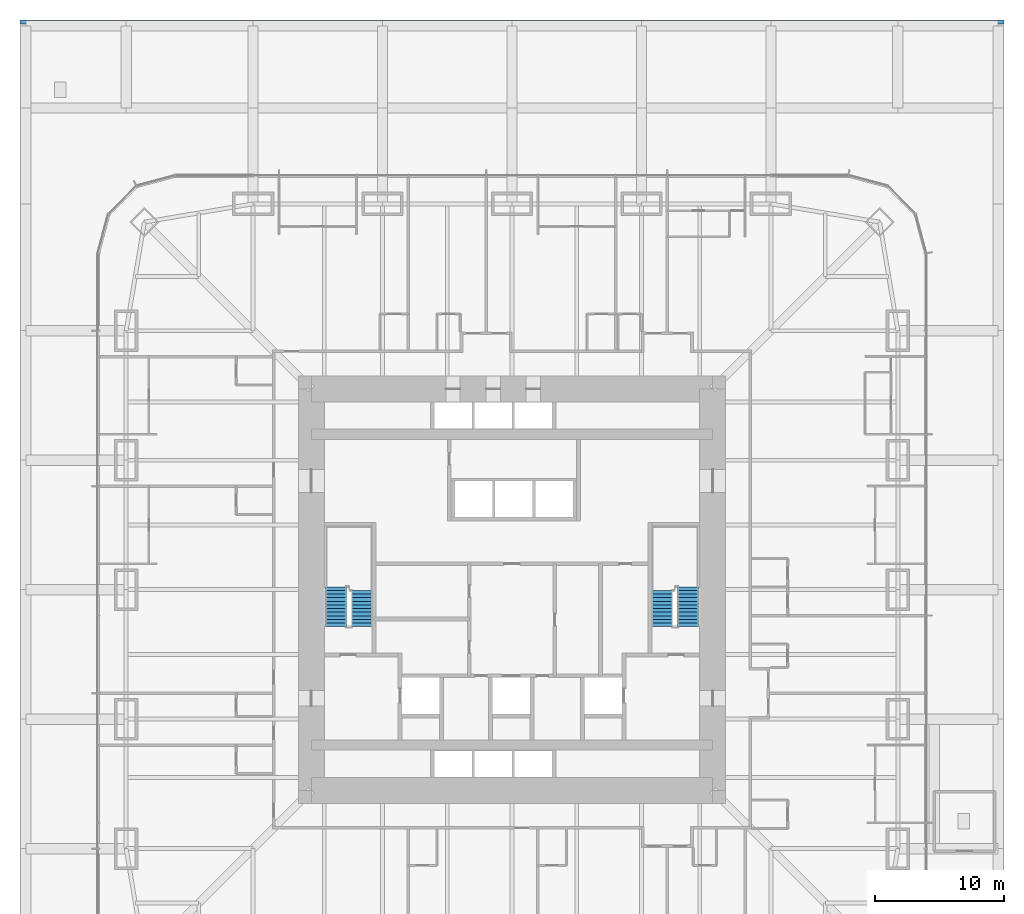
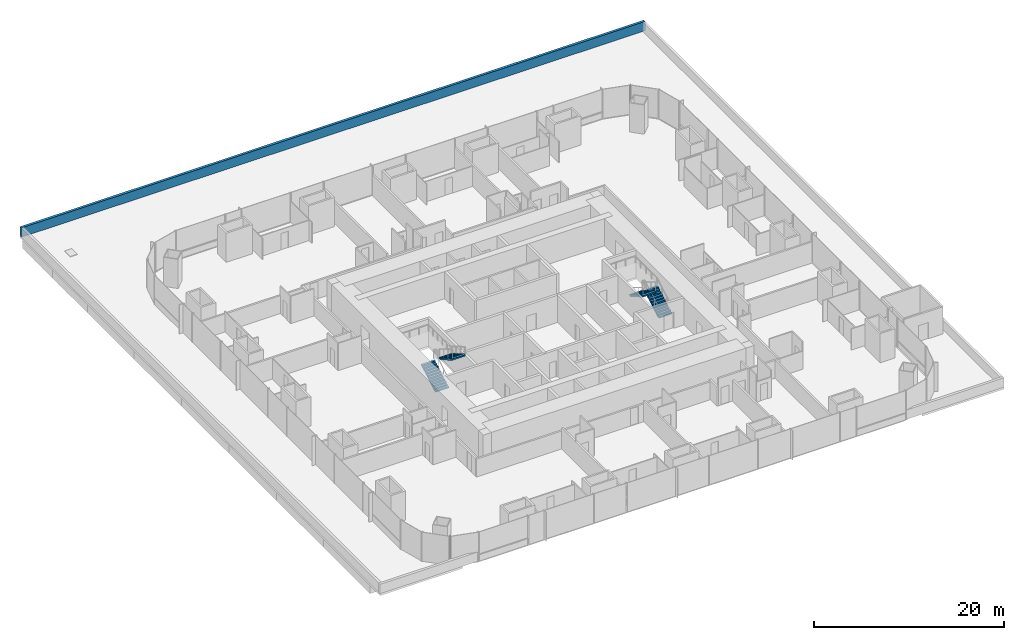
# One storey, part 19 of 20: 4 stair flights, 1 wall, 2 elements without a shape of their own.
"""IFC4 building model written with IfcOpenShell, lengths in metres."""

import ifcopenshell
import ifcopenshell.guid

model = None  # the IFC model being written
_history = None  # IfcOwnerHistory: only IFC2X3 demands one
_inside = {}  # id of a spatial element -> (the spatial element, [elements in it])
_under = {}  # id of a project, library or spatial element -> (it, [spatial elements below it])
_declared = {}  # id of a project -> (the project, [libraries it declares])
_typed = {}  # id of a type object -> (the type object, [elements of that type])
_made_of = {}  # id of a material, layer set ... -> (it, [elements and type objects made of it])


def new_model(schema):
    """Start an empty IFC model of exactly this schema.

    Asked for "IFC4X3", IfcOpenShell would pick the latest addendum, in which some entities
    have other attributes; the version numbers below select the first issue.
    IFC2X3 requires an IfcOwnerHistory on every rooted entity: one is made here for all.
    """
    global model, _history
    if schema == "IFC4X3":
        model = ifcopenshell.file(schema_version=(4, 3, 0, 0))
    else:
        model = ifcopenshell.file(schema=schema)
    _inside.clear()
    _under.clear()
    _declared.clear()
    _typed.clear()
    _made_of.clear()
    _history = None
    if model.schema == "IFC2X3":
        org = make("IfcOrganization", Name="unknown")
        user = make(
            "IfcPersonAndOrganization",
            ThePerson=make("IfcPerson", FamilyName="unknown"),
            TheOrganization=org,
        )
        app = make(
            "IfcApplication",
            ApplicationDeveloper=org,
            Version="unknown",
            ApplicationFullName="unknown",
            ApplicationIdentifier="unknown",
        )
        _history = make(
            "IfcOwnerHistory",
            OwningUser=user,
            OwningApplication=app,
            ChangeAction="ADDED",
            CreationDate=0,
        )
    return model


def make(cls, **values):
    """One entity of the class cls with the attributes given. An attribute that is None is left unset."""
    return model.create_entity(
        cls, **{name: value for name, value in values.items() if value is not None}
    )


def rooted(cls, **values):
    """An entity with a GlobalId (a new one), such as an element, a storey or a relation."""
    return make(cls, GlobalId=ifcopenshell.guid.new(), OwnerHistory=_history, **values)


def si_unit(unit_type, name, prefix=None):
    """IfcSIUnit, for example si_unit("LENGTHUNIT", "METRE", prefix="MILLI")."""
    return make("IfcSIUnit", UnitType=unit_type, Prefix=prefix, Name=name)


def assignment(units):
    """IfcUnitAssignment: the units of a project."""
    return None if units is None else make("IfcUnitAssignment", Units=units)


def point(xyz):
    """IfcCartesianPoint."""
    return None if xyz is None else make("IfcCartesianPoint", Coordinates=xyz)


def direction(xyz):
    """IfcDirection."""
    return None if xyz is None else make("IfcDirection", DirectionRatios=xyz)


def frame(location, z_axis=None, x_axis=None):
    """IfcAxis2Placement3D, a coordinate frame: its origin and axes. An axis left out is left unset."""
    return make(
        "IfcAxis2Placement3D",
        Location=point(location),
        Axis=direction(z_axis),
        RefDirection=direction(x_axis),
    )


def frame_2d(location, x_axis=None):
    """IfcAxis2Placement2D, a coordinate frame in the plane: its origin and x axis."""
    return make(
        "IfcAxis2Placement2D", Location=point(location), RefDirection=direction(x_axis)
    )


def origin():
    """The frame at (0, 0, 0) with its axes left unset."""
    return frame((0.0, 0.0, 0.0))


def place(relative_to, where):
    """IfcLocalPlacement: puts the frame where relative to a parent placement (None: the world)."""
    return make(
        "IfcLocalPlacement", PlacementRelTo=relative_to, RelativePlacement=where
    )


def context(
    kind, dimensions, precision=None, world=None, true_north=None, identifier=None
):
    """IfcGeometricRepresentationContext, for example the 3D "Model" context."""
    return make(
        "IfcGeometricRepresentationContext",
        ContextIdentifier=identifier,
        ContextType=kind,
        CoordinateSpaceDimension=dimensions,
        Precision=precision,
        WorldCoordinateSystem=world,
        TrueNorth=true_north,
    )


def subcontext(parent, identifier, kind, view, scale=None):
    """IfcGeometricRepresentationSubContext, for example "Body" below "Model"."""
    return make(
        "IfcGeometricRepresentationSubContext",
        ContextIdentifier=identifier,
        ContextType=kind,
        ParentContext=parent,
        TargetScale=scale,
        TargetView=view,
    )


def project(units=None, contexts=None):
    """IfcProject with its units and contexts."""
    return rooted(
        "IfcProject",
        Name="project",
        RepresentationContexts=contexts,
        UnitsInContext=assignment(units),
    )


def spatial(cls, under=None, at=None, **own):
    """A site, building, storey or space (cls), placed at a placement, below another one or the project."""
    s = rooted(cls, ObjectPlacement=at, **own)
    if under is not None:
        _under.setdefault(under.id(), (under, []))[1].append(s)
    return s


def polyline(points):
    """IfcPolyline through the points."""
    return make("IfcPolyline", Points=[point(p) for p in points])


def profile(cls, at=None, kind="AREA", **sizes):
    """A parametric profile (cls). Its sizes go by their IFC names, for example OverallWidth=200.0."""
    return make(cls, ProfileType=kind, Position=at, **sizes)


def rectangle(**sizes):
    """IfcRectangleProfileDef."""
    return profile("IfcRectangleProfileDef", **sizes)


def outline(outer, holes=None, kind="AREA"):
    """IfcArbitraryClosedProfileDef: a profile drawn as a closed curve; with holes, ...WithVoids."""
    if holes is None:
        return make("IfcArbitraryClosedProfileDef", ProfileType=kind, OuterCurve=outer)
    return make(
        "IfcArbitraryProfileDefWithVoids",
        ProfileType=kind,
        OuterCurve=outer,
        InnerCurves=holes,
    )


def extrude(swept, where, along, depth):
    """IfcExtrudedAreaSolid: the profile swept, set in the frame where, extruded along a direction by depth."""
    return make(
        "IfcExtrudedAreaSolid",
        SweptArea=swept,
        Position=where,
        ExtrudedDirection=direction(along),
        Depth=depth,
    )


def shape(context_of_items, identifier, shape_type, items):
    """IfcShapeRepresentation: the items that make up one representation, for example the "Body"."""
    return make(
        "IfcShapeRepresentation",
        ContextOfItems=context_of_items,
        RepresentationIdentifier=identifier,
        RepresentationType=shape_type,
        Items=items,
    )


def material(Name=None, Category=None):
    """IfcMaterial."""
    return make("IfcMaterial", Name=Name, Category=Category)


def layer(
    of_material, thickness, ventilated=None, Name=None, Category=None, Priority=None
):
    """IfcMaterialLayer: one layer of a wall or slab, of a material (None: an air gap)."""
    return make(
        "IfcMaterialLayer",
        Material=of_material,
        LayerThickness=thickness,
        IsVentilated=ventilated,
        Name=Name,
        Category=Category,
        Priority=Priority,
    )


def layer_set(layers, Name=None):
    """IfcMaterialLayerSet."""
    return make("IfcMaterialLayerSet", MaterialLayers=layers, LayerSetName=Name)


def made_of(thing, what):
    """Note that an element or type object is made of a material, layer set ...; save() writes the relation."""
    if what is not None:
        _made_of.setdefault(what.id(), (what, []))[1].append(thing)
    return thing


def type_object(cls, material=None, **own):
    """A type object (cls), such as IfcWallType, which elements share."""
    return made_of(rooted(cls, **own), material)


def element(
    cls,
    number,
    at=None,
    inside=None,
    cuts=None,
    type_object=None,
    material=None,
    context=None,
    identifier="Body",
    shape_type=None,
    held_by="IfcProductDefinitionShape",
    body=None,
    shapes=None,
    **own,
):
    """One element of the class cls, such as IfcWall. Its Tag is "e" and its number.

    at: its placement. inside: the storey or other place that contains it. cuts: it is an
    opening in that element (IfcRelVoidsElement). A single representation is given by context,
    identifier, shape_type and body (its items); several are given by shapes. held_by: the class
    of the entity that holds the representations. save() writes the other relations.
    """
    e = rooted(cls, Tag="e%d" % number, ObjectPlacement=at, **own)
    if body is not None:
        shapes = [shape(context, identifier, shape_type, body)]
    if shapes is not None:
        e.Representation = make(held_by, Representations=shapes)
    if inside is not None:
        _inside.setdefault(inside.id(), (inside, []))[1].append(e)
    if cuts is not None:
        rooted(
            "IfcRelVoidsElement", RelatingBuildingElement=cuts, RelatedOpeningElement=e
        )
    if type_object is not None:
        _typed.setdefault(type_object.id(), (type_object, []))[1].append(e)
    return made_of(e, material)


def aggregate(whole, parts):
    """IfcRelAggregates: a whole, such as a stair, and the parts it consists of."""
    return rooted("IfcRelAggregates", RelatingObject=whole, RelatedObjects=parts)


def save(model, path):
    """Write the relations noted so far, then the file.

    IfcRelAggregates (storeys below a building ...), IfcRelContainedInSpatialStructure (elements
    in a storey), IfcRelDefinesByType, IfcRelAssociatesMaterial and IfcRelDeclares: one each for
    every whole, place, type object, material and project.
    """
    for whole, parts in _under.values():
        aggregate(whole, parts)
    for where, things in _inside.values():
        rooted(
            "IfcRelContainedInSpatialStructure",
            RelatedElements=things,
            RelatingStructure=where,
        )
    for kind, things in _typed.values():
        rooted("IfcRelDefinesByType", RelatedObjects=things, RelatingType=kind)
    for what, things in _made_of.values():
        rooted("IfcRelAssociatesMaterial", RelatedObjects=things, RelatingMaterial=what)
    for by, libraries in _declared.values():
        rooted("IfcRelDeclares", RelatingContext=by, RelatedDefinitions=libraries)
    model.write(path)


model = new_model("IFC4")

# Units and contexts
model_context = context("Model", 3, precision=1e-05, world=origin(), true_north=direction((0.0, 1.0)))
body_context = subcontext(model_context, "Body", "Model", "MODEL_VIEW")
ifc_project = project(units=[si_unit("LENGTHUNIT", "METRE"), si_unit("AREAUNIT", "SQUARE_METRE"), si_unit("VOLUMEUNIT", "CUBIC_METRE"), si_unit("PLANEANGLEUNIT", "RADIAN"), si_unit("MASSUNIT", "GRAM", prefix="KILO")], contexts=[model_context])

# Site, building, storey
site_placement = place(None, origin())
site = spatial("IfcSite", under=ifc_project, at=site_placement, CompositionType="ELEMENT")
building_placement = place(site_placement, origin())
building = spatial("IfcBuilding", under=site, at=building_placement, Name="Khuree Lantern Residences", CompositionType="ELEMENT")
storey_placement = place(building_placement, frame((0.0, 0.0, 21.0)))
storey = spatial("IfcBuildingStorey", under=building, at=storey_placement, Name="L04", CompositionType="ELEMENT", Elevation=21.0)

# Wall
ifc_material_1 = material(Name="Precast concrete parapet with granite coping", Category="masonry")
ifc_layer = layer(ifc_material_1, 0.300048828125)
ifc_layer_set = layer_set([ifc_layer], Name="PARAPET PP1 300")
wall_type = type_object("IfcWallType", Name="PARAPET PP1 300", PredefinedType="PARAPET", material=ifc_layer_set)
wall_placement = place(storey_placement, frame((38.0, 43.85009765625, 0.0), z_axis=(0.0, 0.0, 1.0), x_axis=(-1.0, 0.0, 0.0)))
element("IfcWall", 1, at=wall_placement, inside=storey, type_object=wall_type, Name="PODIUM ROOF PARAPET 3", PredefinedType="PARAPET", context=body_context, shape_type="SweptSolid", body=[
    extrude(rectangle(XDim=76.0, YDim=0.300048828125, at=frame_2d((38.0, 0.0))), origin(), (0.0, 0.0, 1.0), 1.199951171875),
])

# Stair, stair flights
ifc_material_2 = material(Name="Concrete C40/50", Category="concrete")
stair_type = type_object("IfcStairType", Name="STAIR ST1 HALF TURN 3600", PredefinedType="HALF_TURN_STAIR", material=ifc_material_2)
stair_1_placement = place(storey_placement, origin())
stair_1 = element("IfcStair", 2, at=stair_1_placement, inside=storey, type_object=stair_type, Name="Stair ST1", PredefinedType="HALF_TURN_STAIR")
stair_flight_type = type_object("IfcStairFlightType", Name="STAIR FLIGHT SF1 1600", PredefinedType="STRAIGHT", material=ifc_material_2)
stair_flight_1_placement = place(storey_placement, frame((-13.60009765625, -2.860107421875, 0.0), z_axis=(0.0, 0.0, 1.0), x_axis=(0.0, 1.0, 0.0)))
stair_flight_1 = element("IfcStairFlight", 3, at=stair_flight_1_placement, type_object=stair_flight_type, Name="ST1 flight 1", NumberOfRisers=12, NumberOfTreads=11, PredefinedType="STRAIGHT", RiserHeight=0.163043478, TreadLength=0.28, context=body_context, shape_type="SweptSolid", body=[
    extrude(outline(polyline([(0.0, 0.0), (0.0, 0.1630859375), (0.280029296875, 0.1630859375), (0.280029296875, 0.326171875), (0.56005859375, 0.326171875), (0.56005859375, 0.489013671875), (0.840087890625, 0.489013671875), (0.840087890625, 0.652099609375), (1.1201171875, 0.652099609375), (1.1201171875, 0.815185546875), (1.39990234375, 0.815185546875), (1.39990234375, 0.978271484375), (1.679931640625, 0.978271484375), (1.679931640625, 1.141357421875), (1.9599609375, 1.141357421875), (1.9599609375, 1.304443359375), (2.239990234375, 1.304443359375), (2.239990234375, 1.46728515625), (2.52001953125, 1.46728515625), (2.52001953125, 1.63037109375), (2.800048828125, 1.63037109375), (2.800048828125, 1.79345703125), (3.080078125, 1.79345703125), (3.080078125, 1.95654296875), (3.080078125, 1.6201171875), (0.2978515625, 0.0), (0.0, 0.0)])), frame((0.0, 0.800048828125, 0.0), z_axis=(0.0, -1.0, 0.0), x_axis=(1.0, 0.0, 0.0)), (0.0, 0.0, 1.0), 1.60009765625),
])
stair_flight_2_placement = place(storey_placement, frame((-11.60009765625, -0.06005859375, 1.95654296875), z_axis=(0.0, 0.0, 1.0), x_axis=(0.0, -1.0, 0.0)))
stair_flight_2 = element("IfcStairFlight", 4, at=stair_flight_2_placement, type_object=stair_flight_type, Name="ST1 flight 2", NumberOfRisers=11, NumberOfTreads=10, PredefinedType="STRAIGHT", RiserHeight=0.163043478, TreadLength=0.28, context=body_context, shape_type="SweptSolid", body=[
    extrude(outline(polyline([(0.0, 0.0), (0.0, 0.1630859375), (0.280029296875, 0.1630859375), (0.280029296875, 0.326171875), (0.56005859375, 0.326171875), (0.56005859375, 0.489013671875), (0.840087890625, 0.489013671875), (0.840087890625, 0.652099609375), (1.1201171875, 0.652099609375), (1.1201171875, 0.815185546875), (1.39990234375, 0.815185546875), (1.39990234375, 0.978271484375), (1.679931640625, 0.978271484375), (1.679931640625, 1.141357421875), (1.9599609375, 1.141357421875), (1.9599609375, 1.304443359375), (2.239990234375, 1.304443359375), (2.239990234375, 1.46728515625), (2.52001953125, 1.46728515625), (2.52001953125, 1.63037109375), (2.800048828125, 1.63037109375), (2.800048828125, 1.79345703125), (2.800048828125, 1.45703125), (0.2978515625, 0.0), (0.0, 0.0)])), frame((0.0, 0.800048828125, 0.0), z_axis=(0.0, -1.0, 0.0), x_axis=(1.0, 0.0, 0.0)), (0.0, 0.0, 1.0), 1.60009765625),
])
aggregate(stair_1, [stair_flight_1, stair_flight_2])

stair_2_placement = place(storey_placement, origin())
stair_2 = element("IfcStair", 5, at=stair_2_placement, inside=storey, type_object=stair_type, Name="Stair ST2", PredefinedType="HALF_TURN_STAIR")
stair_flight_3_placement = place(storey_placement, frame((13.60009765625, -2.860107421875, 0.0), z_axis=(0.0, 0.0, 1.0), x_axis=(0.0, 1.0, 0.0)))
stair_flight_3 = element("IfcStairFlight", 6, at=stair_flight_3_placement, type_object=stair_flight_type, Name="ST2 flight 1", NumberOfRisers=12, NumberOfTreads=11, PredefinedType="STRAIGHT", RiserHeight=0.163043478, TreadLength=0.28, context=body_context, shape_type="SweptSolid", body=[
    extrude(outline(polyline([(0.0, 0.0), (0.0, 0.1630859375), (0.280029296875, 0.1630859375), (0.280029296875, 0.326171875), (0.56005859375, 0.326171875), (0.56005859375, 0.489013671875), (0.840087890625, 0.489013671875), (0.840087890625, 0.652099609375), (1.1201171875, 0.652099609375), (1.1201171875, 0.815185546875), (1.39990234375, 0.815185546875), (1.39990234375, 0.978271484375), (1.679931640625, 0.978271484375), (1.679931640625, 1.141357421875), (1.9599609375, 1.141357421875), (1.9599609375, 1.304443359375), (2.239990234375, 1.304443359375), (2.239990234375, 1.46728515625), (2.52001953125, 1.46728515625), (2.52001953125, 1.63037109375), (2.800048828125, 1.63037109375), (2.800048828125, 1.79345703125), (3.080078125, 1.79345703125), (3.080078125, 1.95654296875), (3.080078125, 1.6201171875), (0.2978515625, 0.0), (0.0, 0.0)])), frame((0.0, 0.800048828125, 0.0), z_axis=(0.0, -1.0, 0.0), x_axis=(1.0, 0.0, 0.0)), (0.0, 0.0, 1.0), 1.60009765625),
])
stair_flight_4_placement = place(storey_placement, frame((11.60009765625, -0.06005859375, 1.95654296875), z_axis=(0.0, 0.0, 1.0), x_axis=(0.0, -1.0, 0.0)))
stair_flight_4 = element("IfcStairFlight", 7, at=stair_flight_4_placement, type_object=stair_flight_type, Name="ST2 flight 2", NumberOfRisers=11, NumberOfTreads=10, PredefinedType="STRAIGHT", RiserHeight=0.163043478, TreadLength=0.28, context=body_context, shape_type="SweptSolid", body=[
    extrude(outline(polyline([(0.0, 0.0), (0.0, 0.1630859375), (0.280029296875, 0.1630859375), (0.280029296875, 0.326171875), (0.56005859375, 0.326171875), (0.56005859375, 0.489013671875), (0.840087890625, 0.489013671875), (0.840087890625, 0.652099609375), (1.1201171875, 0.652099609375), (1.1201171875, 0.815185546875), (1.39990234375, 0.815185546875), (1.39990234375, 0.978271484375), (1.679931640625, 0.978271484375), (1.679931640625, 1.141357421875), (1.9599609375, 1.141357421875), (1.9599609375, 1.304443359375), (2.239990234375, 1.304443359375), (2.239990234375, 1.46728515625), (2.52001953125, 1.46728515625), (2.52001953125, 1.63037109375), (2.800048828125, 1.63037109375), (2.800048828125, 1.79345703125), (2.800048828125, 1.45703125), (0.2978515625, 0.0), (0.0, 0.0)])), frame((0.0, 0.800048828125, 0.0), z_axis=(0.0, -1.0, 0.0), x_axis=(1.0, 0.0, 0.0)), (0.0, 0.0, 1.0), 1.60009765625),
])
aggregate(stair_2, [stair_flight_3, stair_flight_4])

save(model, "model.ifc")
